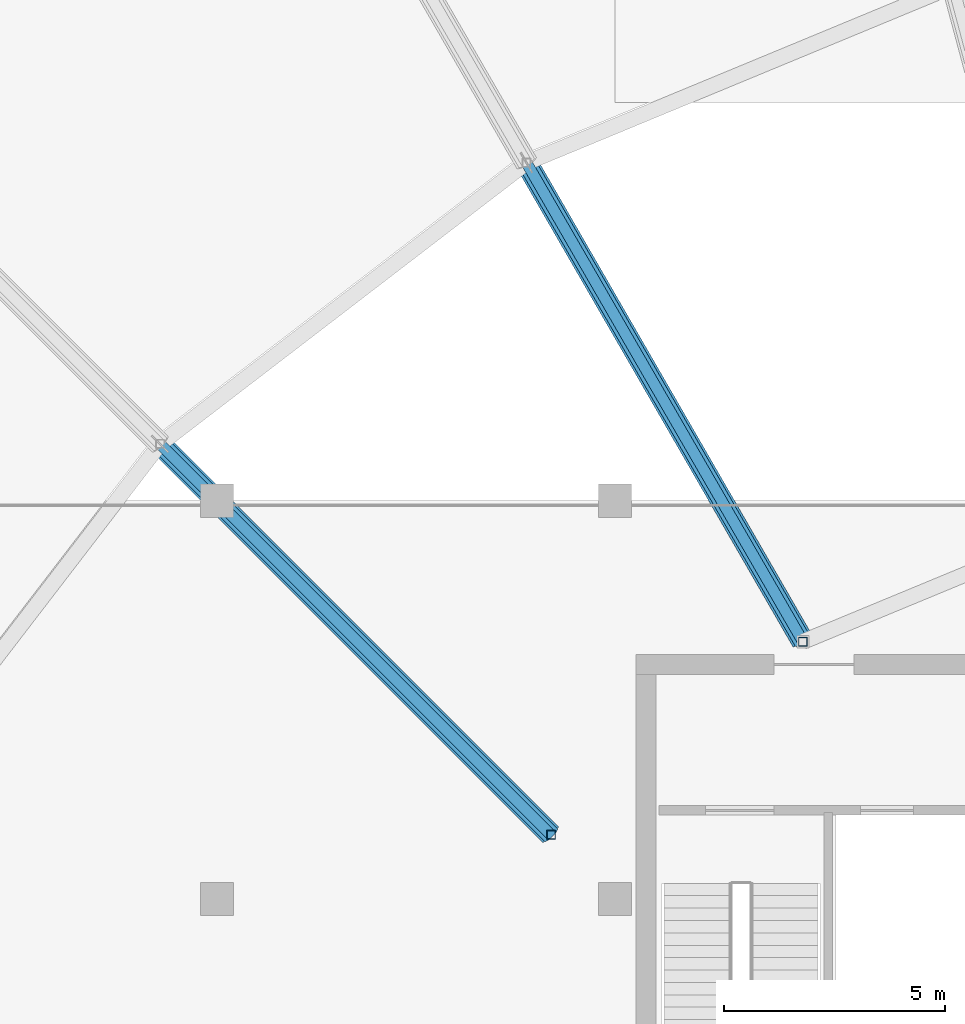
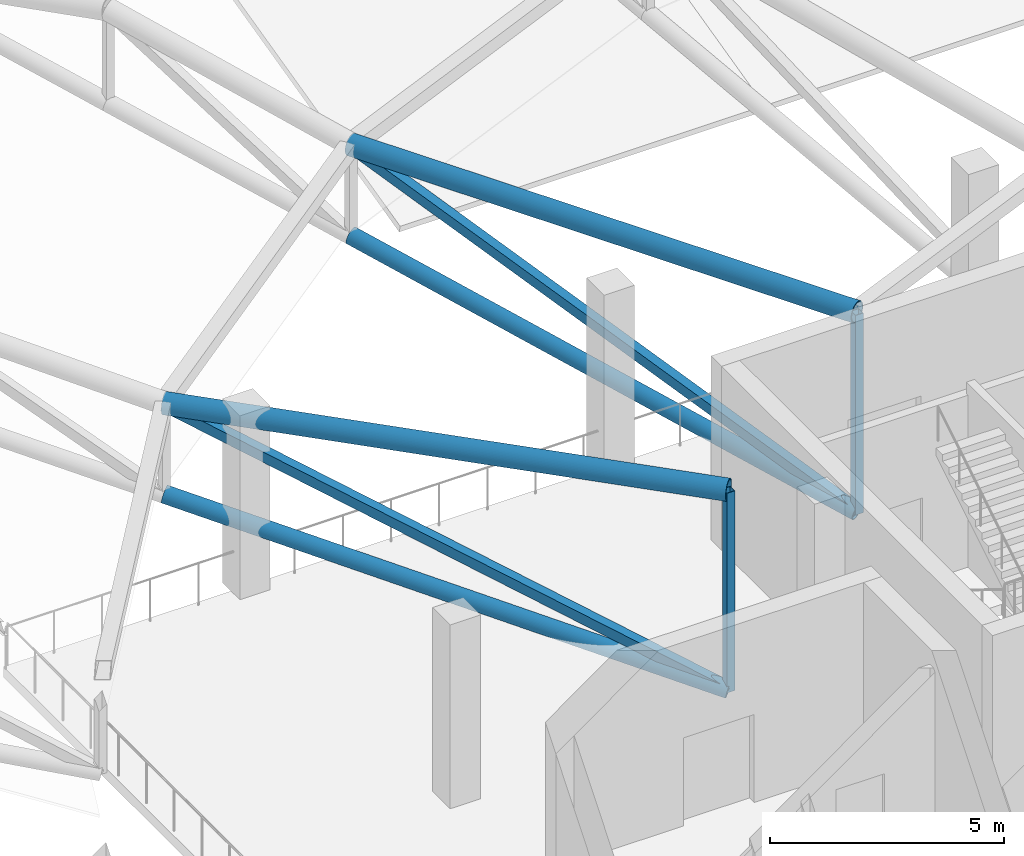
# One storey, part 74 of 167: 8 members.
"""IFC4 building model written with IfcOpenShell, lengths in metres."""

import ifcopenshell
import ifcopenshell.guid

model = None  # the IFC model being written
_history = None  # IfcOwnerHistory: only IFC2X3 demands one
_inside = {}  # id of a spatial element -> (the spatial element, [elements in it])
_under = {}  # id of a project, library or spatial element -> (it, [spatial elements below it])
_declared = {}  # id of a project -> (the project, [libraries it declares])
_typed = {}  # id of a type object -> (the type object, [elements of that type])
_made_of = {}  # id of a material, layer set ... -> (it, [elements and type objects made of it])


def new_model(schema):
    """Start an empty IFC model of exactly this schema.

    Asked for "IFC4X3", IfcOpenShell would pick the latest addendum, in which some entities
    have other attributes; the version numbers below select the first issue.
    IFC2X3 requires an IfcOwnerHistory on every rooted entity: one is made here for all.
    """
    global model, _history
    if schema == "IFC4X3":
        model = ifcopenshell.file(schema_version=(4, 3, 0, 0))
    else:
        model = ifcopenshell.file(schema=schema)
    _inside.clear()
    _under.clear()
    _declared.clear()
    _typed.clear()
    _made_of.clear()
    _history = None
    if model.schema == "IFC2X3":
        org = make("IfcOrganization", Name="unknown")
        user = make(
            "IfcPersonAndOrganization",
            ThePerson=make("IfcPerson", FamilyName="unknown"),
            TheOrganization=org,
        )
        app = make(
            "IfcApplication",
            ApplicationDeveloper=org,
            Version="unknown",
            ApplicationFullName="unknown",
            ApplicationIdentifier="unknown",
        )
        _history = make(
            "IfcOwnerHistory",
            OwningUser=user,
            OwningApplication=app,
            ChangeAction="ADDED",
            CreationDate=0,
        )
    return model


def make(cls, **values):
    """One entity of the class cls with the attributes given. An attribute that is None is left unset."""
    return model.create_entity(
        cls, **{name: value for name, value in values.items() if value is not None}
    )


def rooted(cls, **values):
    """An entity with a GlobalId (a new one), such as an element, a storey or a relation."""
    return make(cls, GlobalId=ifcopenshell.guid.new(), OwnerHistory=_history, **values)


def si_unit(unit_type, name, prefix=None):
    """IfcSIUnit, for example si_unit("LENGTHUNIT", "METRE", prefix="MILLI")."""
    return make("IfcSIUnit", UnitType=unit_type, Prefix=prefix, Name=name)


def assignment(units):
    """IfcUnitAssignment: the units of a project."""
    return None if units is None else make("IfcUnitAssignment", Units=units)


def point(xyz):
    """IfcCartesianPoint."""
    return None if xyz is None else make("IfcCartesianPoint", Coordinates=xyz)


def direction(xyz):
    """IfcDirection."""
    return None if xyz is None else make("IfcDirection", DirectionRatios=xyz)


def frame(location, z_axis=None, x_axis=None):
    """IfcAxis2Placement3D, a coordinate frame: its origin and axes. An axis left out is left unset."""
    return make(
        "IfcAxis2Placement3D",
        Location=point(location),
        Axis=direction(z_axis),
        RefDirection=direction(x_axis),
    )


def frame_2d(location, x_axis=None):
    """IfcAxis2Placement2D, a coordinate frame in the plane: its origin and x axis."""
    return make(
        "IfcAxis2Placement2D", Location=point(location), RefDirection=direction(x_axis)
    )


def origin():
    """The frame at (0, 0, 0) with its axes left unset."""
    return frame((0.0, 0.0, 0.0))


def origin_2d():
    """The frame at (0, 0) in the plane with its x axis left unset."""
    return frame_2d((0.0, 0.0))


def place(relative_to, where):
    """IfcLocalPlacement: puts the frame where relative to a parent placement (None: the world)."""
    return make(
        "IfcLocalPlacement", PlacementRelTo=relative_to, RelativePlacement=where
    )


def context(
    kind, dimensions, precision=None, world=None, true_north=None, identifier=None
):
    """IfcGeometricRepresentationContext, for example the 3D "Model" context."""
    return make(
        "IfcGeometricRepresentationContext",
        ContextIdentifier=identifier,
        ContextType=kind,
        CoordinateSpaceDimension=dimensions,
        Precision=precision,
        WorldCoordinateSystem=world,
        TrueNorth=true_north,
    )


def subcontext(parent, identifier, kind, view, scale=None):
    """IfcGeometricRepresentationSubContext, for example "Body" below "Model"."""
    return make(
        "IfcGeometricRepresentationSubContext",
        ContextIdentifier=identifier,
        ContextType=kind,
        ParentContext=parent,
        TargetScale=scale,
        TargetView=view,
    )


def project(units=None, contexts=None):
    """IfcProject with its units and contexts."""
    return rooted(
        "IfcProject",
        Name="project",
        RepresentationContexts=contexts,
        UnitsInContext=assignment(units),
    )


def spatial(cls, under=None, at=None, **own):
    """A site, building, storey or space (cls), placed at a placement, below another one or the project."""
    s = rooted(cls, ObjectPlacement=at, **own)
    if under is not None:
        _under.setdefault(under.id(), (under, []))[1].append(s)
    return s


def profile(cls, at=None, kind="AREA", **sizes):
    """A parametric profile (cls). Its sizes go by their IFC names, for example OverallWidth=200.0."""
    return make(cls, ProfileType=kind, Position=at, **sizes)


def hollow_rectangle(**sizes):
    """IfcRectangleHollowProfileDef."""
    return profile("IfcRectangleHollowProfileDef", **sizes)


def hollow_circle(**sizes):
    """IfcCircleHollowProfileDef."""
    return profile("IfcCircleHollowProfileDef", **sizes)


def extrude(swept, where, along, depth):
    """IfcExtrudedAreaSolid: the profile swept, set in the frame where, extruded along a direction by depth."""
    return make(
        "IfcExtrudedAreaSolid",
        SweptArea=swept,
        Position=where,
        ExtrudedDirection=direction(along),
        Depth=depth,
    )


def shape(context_of_items, identifier, shape_type, items):
    """IfcShapeRepresentation: the items that make up one representation, for example the "Body"."""
    return make(
        "IfcShapeRepresentation",
        ContextOfItems=context_of_items,
        RepresentationIdentifier=identifier,
        RepresentationType=shape_type,
        Items=items,
    )


def material(Name=None, Category=None):
    """IfcMaterial."""
    return make("IfcMaterial", Name=Name, Category=Category)


def material_profile(
    of_material, cross_section, Name=None, Category=None, Priority=None
):
    """IfcMaterialProfile: a cross section and its material."""
    return make(
        "IfcMaterialProfile",
        Name=Name,
        Material=of_material,
        Profile=cross_section,
        Priority=Priority,
        Category=Category,
    )


def profile_set(profiles, Name=None, composite=None):
    """IfcMaterialProfileSet."""
    return make(
        "IfcMaterialProfileSet",
        Name=Name,
        MaterialProfiles=profiles,
        CompositeProfile=composite,
    )


def made_of(thing, what):
    """Note that an element or type object is made of a material, layer set ...; save() writes the relation."""
    if what is not None:
        _made_of.setdefault(what.id(), (what, []))[1].append(thing)
    return thing


def type_object(cls, material=None, **own):
    """A type object (cls), such as IfcWallType, which elements share."""
    return made_of(rooted(cls, **own), material)


def element(
    cls,
    number,
    at=None,
    inside=None,
    cuts=None,
    type_object=None,
    material=None,
    context=None,
    identifier="Body",
    shape_type=None,
    held_by="IfcProductDefinitionShape",
    body=None,
    shapes=None,
    **own,
):
    """One element of the class cls, such as IfcWall. Its Tag is "e" and its number.

    at: its placement. inside: the storey or other place that contains it. cuts: it is an
    opening in that element (IfcRelVoidsElement). A single representation is given by context,
    identifier, shape_type and body (its items); several are given by shapes. held_by: the class
    of the entity that holds the representations. save() writes the other relations.
    """
    e = rooted(cls, Tag="e%d" % number, ObjectPlacement=at, **own)
    if body is not None:
        shapes = [shape(context, identifier, shape_type, body)]
    if shapes is not None:
        e.Representation = make(held_by, Representations=shapes)
    if inside is not None:
        _inside.setdefault(inside.id(), (inside, []))[1].append(e)
    if cuts is not None:
        rooted(
            "IfcRelVoidsElement", RelatingBuildingElement=cuts, RelatedOpeningElement=e
        )
    if type_object is not None:
        _typed.setdefault(type_object.id(), (type_object, []))[1].append(e)
    return made_of(e, material)


def aggregate(whole, parts):
    """IfcRelAggregates: a whole, such as a stair, and the parts it consists of."""
    return rooted("IfcRelAggregates", RelatingObject=whole, RelatedObjects=parts)


def save(model, path):
    """Write the relations noted so far, then the file.

    IfcRelAggregates (storeys below a building ...), IfcRelContainedInSpatialStructure (elements
    in a storey), IfcRelDefinesByType, IfcRelAssociatesMaterial and IfcRelDeclares: one each for
    every whole, place, type object, material and project.
    """
    for whole, parts in _under.values():
        aggregate(whole, parts)
    for where, things in _inside.values():
        rooted(
            "IfcRelContainedInSpatialStructure",
            RelatedElements=things,
            RelatingStructure=where,
        )
    for kind, things in _typed.values():
        rooted("IfcRelDefinesByType", RelatedObjects=things, RelatingType=kind)
    for what, things in _made_of.values():
        rooted("IfcRelAssociatesMaterial", RelatedObjects=things, RelatingMaterial=what)
    for by, libraries in _declared.values():
        rooted("IfcRelDeclares", RelatingContext=by, RelatedDefinitions=libraries)
    model.write(path)


model = new_model("IFC4")

# Units and contexts
model_context = context("Model", 3, precision=1e-05, world=origin(), true_north=direction((0.0, 1.0)))
body_context = subcontext(model_context, "Body", "Model", "MODEL_VIEW")
ifc_project = project(units=[si_unit("LENGTHUNIT", "METRE"), si_unit("AREAUNIT", "SQUARE_METRE"), si_unit("VOLUMEUNIT", "CUBIC_METRE"), si_unit("PLANEANGLEUNIT", "RADIAN"), si_unit("MASSUNIT", "GRAM", prefix="KILO")], contexts=[model_context])

# Site, building, storey
site_placement = place(None, origin())
site = spatial("IfcSite", under=ifc_project, at=site_placement, CompositionType="ELEMENT")
building_placement = place(site_placement, origin())
building = spatial("IfcBuilding", under=site, at=building_placement, Name="Dornveld Trade and Exhibition Forum", CompositionType="ELEMENT")
storey_placement = place(building_placement, frame((0.0, 0.0, 16.800048828125)))
storey = spatial("IfcBuildingStorey", under=building, at=storey_placement, Name="L03", CompositionType="ELEMENT", Elevation=16.800048828125)

# Members
ifc_material_1 = material(Name="Steel S355J2", Category="steel")
ifc_material_profile_1 = material_profile(ifc_material_1, hollow_circle(Radius=0.203125, WallThickness=0.02001953125, at=origin_2d()), Name="CHS 406.4x20")
ifc_profile_set_1 = profile_set([ifc_material_profile_1], Name="Steel S355J2")
member_type_1 = type_object("IfcMemberType", Name="MEM-DISC-BC", PredefinedType="CHORD", material=ifc_profile_set_1)
for number, where, z_axis, x_axis, name in (
    (1, (103.25, 104.815673828125, -0.76220703125), (-0.487587944083, 0.844536602678, 0.22139540086), (-0.86602784187, -0.499995777088, 0.0), "Roof disc radial R09 conical bottom chord 2"),
    (2, (97.5546875, 100.4453125, -0.76220703125), (-0.689559145785, 0.689559145785, 0.221396406767), (-0.707106781187, -0.707106781187, 0.0), "Roof disc radial R10 conical bottom chord 2"),
):
    element("IfcMember", number, at=place(storey_placement, frame(where, z_axis=z_axis, x_axis=x_axis)), inside=storey, type_object=member_type_1, Name=name, PredefinedType="CHORD", context=body_context, shape_type="SweptSolid", body=[
        extrude(hollow_circle(Radius=0.203125, WallThickness=0.02001953125, at=origin_2d()), origin(), (0.0, 0.0, 1.0), 12.818115234375),
    ])
ifc_material_2 = material(Name="Steel S355J2", Category="steel")
ifc_material_profile_2 = material_profile(ifc_material_2, hollow_rectangle(XDim=0.199951171875, YDim=0.199951171875, WallThickness=0.010009765625, at=origin_2d()), Name="SHS 200x200x10")
ifc_profile_set_2 = profile_set([ifc_material_profile_2], Name="Steel S355J2")
member_type_2 = type_object("IfcMemberType", Name="MEM-DISC-STR", PredefinedType="STRUT", material=ifc_profile_set_2)
for number, where, z_axis, x_axis, name in (
    (3, (103.25, 104.815673828125, -0.76220703125), (0.0, 0.0, 1.0), (1.0, 0.0, 0.0), "Roof disc radial R09 strut 2"),
    (4, (97.5546875, 100.4453125, -0.76220703125), (0.0, 0.0, 1.0), (1.0, 0.0, 0.0), "Roof disc radial R10 strut 2"),
):
    element("IfcMember", number, at=place(storey_placement, frame(where, z_axis=z_axis, x_axis=x_axis)), inside=storey, type_object=member_type_2, Name=name, PredefinedType="STRUT", context=body_context, shape_type="SweptSolid", body=[
        extrude(hollow_rectangle(XDim=0.199951171875, YDim=0.199951171875, WallThickness=0.010009765625, at=origin_2d()), origin(), (0.0, 0.0, 1.0), 5.212158203125),
    ])
ifc_material_3 = material(Name="Steel S355J2", Category="steel")
ifc_material_profile_3 = material_profile(ifc_material_3, hollow_circle(Radius=0.25390625, WallThickness=0.02490234375, at=origin_2d()), Name="CHS 508x25")
ifc_profile_set_3 = profile_set([ifc_material_profile_3], Name="Steel S355J2")
member_type_3 = type_object("IfcMemberType", Name="MEM-DISC-TC", PredefinedType="CHORD", material=ifc_profile_set_3)
for number, where, z_axis, x_axis, name in (
    (5, (103.25, 104.815673828125, 4.449951171875), (-0.499995777088, 0.86602784187, 0.0), (-0.86602784187, -0.499995777088, 0.0), "Roof disc radial R09 top chord 2"),
    (6, (97.5546875, 100.4453125, 4.449951171875), (-0.707106781187, 0.707106781187, 0.0), (-0.707106781187, -0.707106781187, 0.0), "Roof disc radial R10 top chord 2"),
):
    element("IfcMember", number, at=place(storey_placement, frame(where, z_axis=z_axis, x_axis=x_axis)), inside=storey, type_object=member_type_3, Name=name, PredefinedType="CHORD", context=body_context, shape_type="SweptSolid", body=[
        extrude(hollow_circle(Radius=0.25390625, WallThickness=0.02490234375, at=origin_2d()), origin(), (0.0, 0.0, 1.0), 12.5),
    ])
ifc_material_4 = material(Name="Steel S355J2", Category="steel")
ifc_material_profile_4 = material_profile(ifc_material_4, hollow_rectangle(XDim=0.25, YDim=0.25, WallThickness=0.012451171875, at=origin_2d()), Name="SHS 250x250x12.5")
ifc_profile_set_4 = profile_set([ifc_material_profile_4], Name="Steel S355J2")
member_type_4 = type_object("IfcMemberType", Name="MEM-DISC-WEB", PredefinedType="BRACE", material=ifc_profile_set_4)
for number, where, z_axis, x_axis, name in (
    (7, (103.25, 104.815673828125, -0.76220703125), (-0.46148499155, 0.799324453528, 0.384853245492), (-0.86602784187, -0.499995777088, 0.0), "Roof disc radial R09 web 2"),
    (8, (97.5546875, 100.4453125, -0.76220703125), (-0.652643384165, 0.652643384165, 0.384854811859), (-0.707106781187, -0.707106781187, 0.0), "Roof disc radial R10 web 2"),
):
    element("IfcMember", number, at=place(storey_placement, frame(where, z_axis=z_axis, x_axis=x_axis)), inside=storey, type_object=member_type_4, Name=name, PredefinedType="BRACE", context=body_context, shape_type="SweptSolid", body=[
        extrude(hollow_rectangle(XDim=0.25, YDim=0.25, WallThickness=0.012451171875, at=origin_2d()), origin(), (0.0, 0.0, 1.0), 13.543212890625),
    ])

save(model, "model.ifc")
